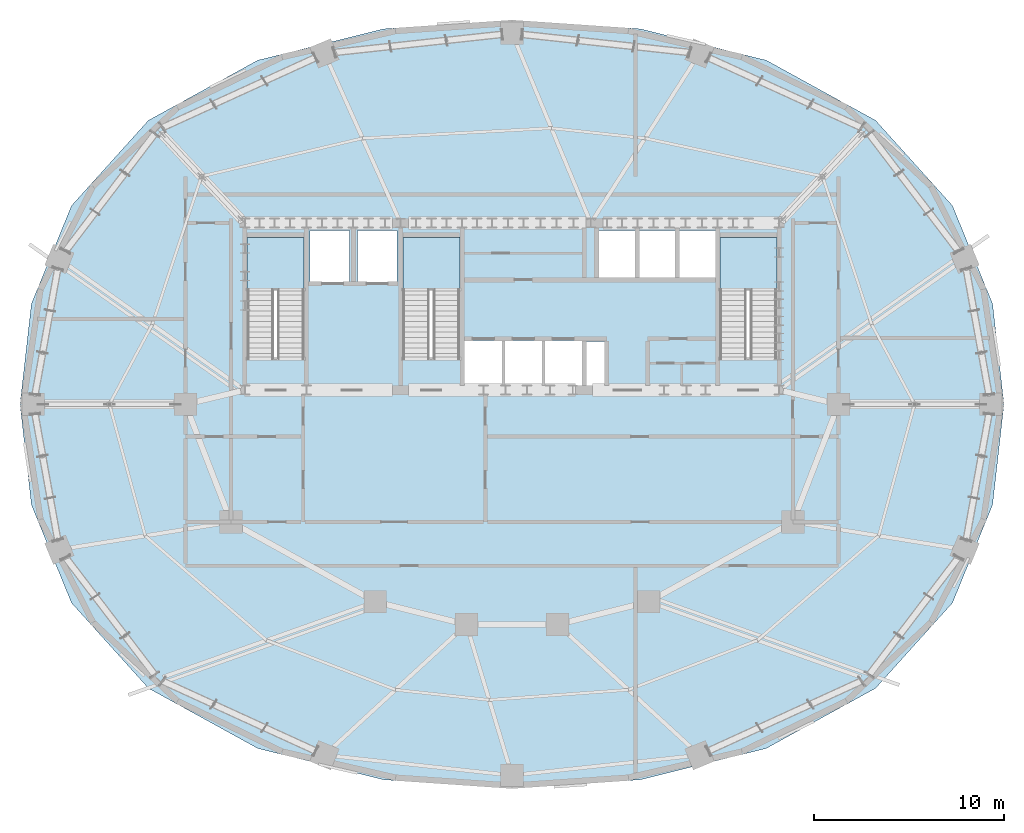
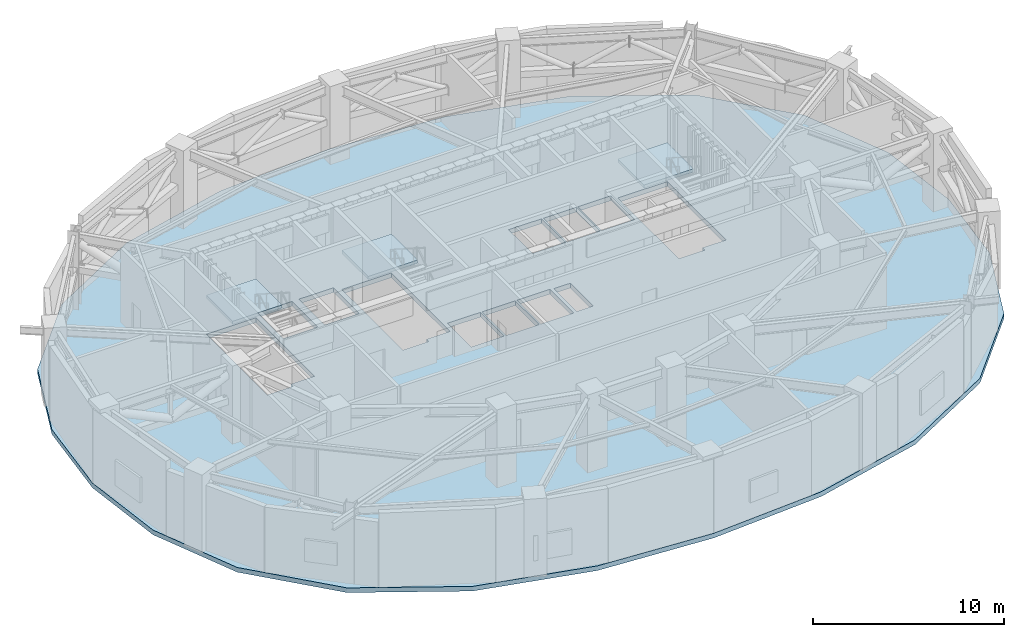
# One storey, part 7 of 17: 4 slabs, 3 elements without a shape of their own.
"""IFC4 building model written with IfcOpenShell, lengths in metres."""

from ifc_helpers import new_model, si_unit, direction, frame, origin, place, context, subcontext, project, spatial, polyline, outline, extrude, material, layer, layer_set, type_object, element, aggregate, save


model = new_model("IFC4")

# Units and contexts
model_context = context("Model", 3, precision=1e-05, world=origin(), true_north=direction((0.0, 1.0)))
body_context = subcontext(model_context, "Body", "Model", "MODEL_VIEW")
ifc_project = project(units=[si_unit("LENGTHUNIT", "METRE"), si_unit("AREAUNIT", "SQUARE_METRE"), si_unit("VOLUMEUNIT", "CUBIC_METRE"), si_unit("PLANEANGLEUNIT", "RADIAN"), si_unit("MASSUNIT", "GRAM", prefix="KILO")], contexts=[model_context])

# Site, building, storey
site_placement = place(None, origin())
site = spatial("IfcSite", under=ifc_project, at=site_placement, CompositionType="ELEMENT")
building_placement = place(site_placement, origin())
building = spatial("IfcBuilding", under=site, at=building_placement, Name="Haldorwick Loom Tower", CompositionType="ELEMENT")
storey_placement = place(building_placement, frame((0.0, 0.0, 149.449951171875)))
storey = spatial("IfcBuildingStorey", under=building, at=storey_placement, Name="L40", CompositionType="ELEMENT", Elevation=149.449951171875)

# Slab
ifc_material = material(Name="Concrete C40 (40 MPa)", Category="concrete")
ifc_layer_1 = layer(ifc_material, 0.300048828125, Name="Concrete C40 (40 MPa)", Category="concrete")
ifc_layer_set_1 = layer_set([ifc_layer_1], Name="Concrete C40 (40 MPa)")
slab_type_1 = type_object("IfcSlabType", Name="STR-SLB-CONC300", PredefinedType="FLOOR", material=ifc_layer_set_1)
slab_1_placement = place(storey_placement, frame((0.0, 0.0, -0.300048828125)))
element("IfcSlab", 1, at=slab_1_placement, inside=storey, type_object=slab_type_1, Name="L40 Structural Floor Slab", PredefinedType="FLOOR", context=body_context, shape_type="SweptSolid", body=[
    extrude(outline(polyline([(55.150634765625, 11.041015625), (59.2021484375, 15.5361328125), (61.3154296875, 20.701416015625), (61.9169921875, 26.0), (61.3154296875, 31.298583984375), (59.2021484375, 36.4638671875), (55.150634765625, 40.958984375), (49.395751953125, 44.123779296875), (42.783203125, 45.774658203125), (36.0, 46.24462890625), (29.216796875, 45.774658203125), (22.604248046875, 44.123779296875), (16.849365234375, 40.958984375), (12.7978515625, 36.4638671875), (10.6845703125, 31.298583984375), (10.0830078125, 26.0), (10.6845703125, 20.701416015625), (12.7978515625, 15.5361328125), (16.849365234375, 11.041015625), (22.604248046875, 7.876220703125), (29.216796875, 6.225341796875), (36.0, 5.75537109375), (42.783203125, 6.225341796875), (49.395751953125, 7.876220703125), (55.150634765625, 11.041015625)]), holes=[polyline([(35.5, 26.85009765625), (33.5, 26.85009765625), (33.5, 29.35009765625), (35.5, 29.35009765625), (35.5, 26.85009765625)]), polyline([(35.60009765625, 26.85009765625), (35.60009765625, 29.35009765625), (37.60009765625, 29.35009765625), (37.60009765625, 26.85009765625), (35.60009765625, 26.85009765625)]), polyline([(22.050048828125, 28.39990234375), (22.050048828125, 34.800048828125), (25.050048828125, 34.800048828125), (25.050048828125, 28.639892578125), (23.6201171875, 28.639892578125), (23.6201171875, 28.39990234375), (22.050048828125, 28.39990234375)]), polyline([(31.820068359375, 28.39990234375), (30.25, 28.39990234375), (30.25, 34.800048828125), (33.25, 34.800048828125), (33.25, 28.639892578125), (31.820068359375, 28.639892578125), (31.820068359375, 28.39990234375)]), polyline([(25.35009765625, 32.449951171875), (25.35009765625, 35.14990234375), (27.449951171875, 35.14990234375), (27.449951171875, 32.449951171875), (25.35009765625, 32.449951171875)]), polyline([(27.85009765625, 32.449951171875), (27.85009765625, 35.14990234375), (29.949951171875, 35.14990234375), (29.949951171875, 32.449951171875), (27.85009765625, 32.449951171875)]), polyline([(39.699951171875, 26.85009765625), (37.699951171875, 26.85009765625), (37.699951171875, 29.35009765625), (39.699951171875, 29.35009765625), (39.699951171875, 26.85009765625)]), polyline([(39.89990234375, 26.89990234375), (39.89990234375, 29.300048828125), (40.89990234375, 29.300048828125), (40.89990234375, 26.89990234375), (39.89990234375, 26.89990234375)]), polyline([(46.949951171875, 28.39990234375), (46.949951171875, 34.800048828125), (49.949951171875, 34.800048828125), (49.949951171875, 28.639892578125), (48.52001953125, 28.639892578125), (48.52001953125, 28.39990234375), (46.949951171875, 28.39990234375)]), polyline([(42.550048828125, 32.64990234375), (40.550048828125, 32.64990234375), (40.550048828125, 35.14990234375), (42.550048828125, 35.14990234375), (42.550048828125, 32.64990234375)]), polyline([(42.64990234375, 32.64990234375), (42.64990234375, 35.14990234375), (44.64990234375, 35.14990234375), (44.64990234375, 32.64990234375), (42.64990234375, 32.64990234375)]), polyline([(44.75, 32.64990234375), (44.75, 35.14990234375), (46.75, 35.14990234375), (46.75, 32.64990234375), (44.75, 32.64990234375)])]), origin(), (0.0, 0.0, 1.0), 0.300048828125),
])

# Stair, slab
stair_type = type_object("IfcStairType", Name="STR-STR-CORE", PredefinedType="HALF_TURN_STAIR", material=ifc_material)
stair_1_placement = place(storey_placement, origin())
stair_1 = element("IfcStair", 2, at=stair_1_placement, inside=storey, type_object=stair_type, Name="L40 Exit Stair ST-01", PredefinedType="HALF_TURN_STAIR")
ifc_layer_2 = layer(ifc_material, 0.199951171875, Name="Concrete C40 (40 MPa)", Category="concrete")
ifc_layer_set_2 = layer_set([ifc_layer_2], Name="Concrete C40 (40 MPa)")
slab_type_2 = type_object("IfcSlabType", Name="STR-SLB-LAND200", PredefinedType="LANDING", material=ifc_layer_set_2)
slab_2_placement = place(storey_placement, frame((0.0, 0.0, 2.300048828125)))
slab_2 = element("IfcSlab", 3, at=slab_2_placement, type_object=slab_type_2, Name="ST-01 landing 1", PredefinedType="LANDING", context=body_context, shape_type="SweptSolid", body=[
    extrude(outline(polyline([(25.050048828125, 32.0400390625), (25.050048828125, 34.800048828125), (22.050048828125, 34.800048828125), (22.050048828125, 32.0400390625), (25.050048828125, 32.0400390625)])), origin(), (0.0, 0.0, 1.0), 0.199951171875),
])
aggregate(stair_1, [slab_2])

stair_2_placement = place(storey_placement, origin())
stair_2 = element("IfcStair", 4, at=stair_2_placement, inside=storey, type_object=stair_type, Name="L40 Exit Stair ST-02", PredefinedType="HALF_TURN_STAIR")
slab_3_placement = place(storey_placement, frame((0.0, 0.0, 2.300048828125)))
slab_3 = element("IfcSlab", 5, at=slab_3_placement, type_object=slab_type_2, Name="ST-02 landing 1", PredefinedType="LANDING", context=body_context, shape_type="SweptSolid", body=[
    extrude(outline(polyline([(49.949951171875, 32.0400390625), (49.949951171875, 34.800048828125), (46.949951171875, 34.800048828125), (46.949951171875, 32.0400390625), (49.949951171875, 32.0400390625)])), origin(), (0.0, 0.0, 1.0), 0.199951171875),
])
aggregate(stair_2, [slab_3])

stair_3_placement = place(storey_placement, origin())
stair_3 = element("IfcStair", 6, at=stair_3_placement, inside=storey, type_object=stair_type, Name="L40 Exit Stair ST-03", PredefinedType="HALF_TURN_STAIR")
slab_4_placement = place(storey_placement, frame((0.0, 0.0, 2.300048828125)))
slab_4 = element("IfcSlab", 7, at=slab_4_placement, type_object=slab_type_2, Name="ST-03 landing 1", PredefinedType="LANDING", context=body_context, shape_type="SweptSolid", body=[
    extrude(outline(polyline([(33.25, 32.0400390625), (33.25, 34.800048828125), (30.25, 34.800048828125), (30.25, 32.0400390625), (33.25, 32.0400390625)])), origin(), (0.0, 0.0, 1.0), 0.199951171875),
])
aggregate(stair_3, [slab_4])

save(model, "model.ifc")
